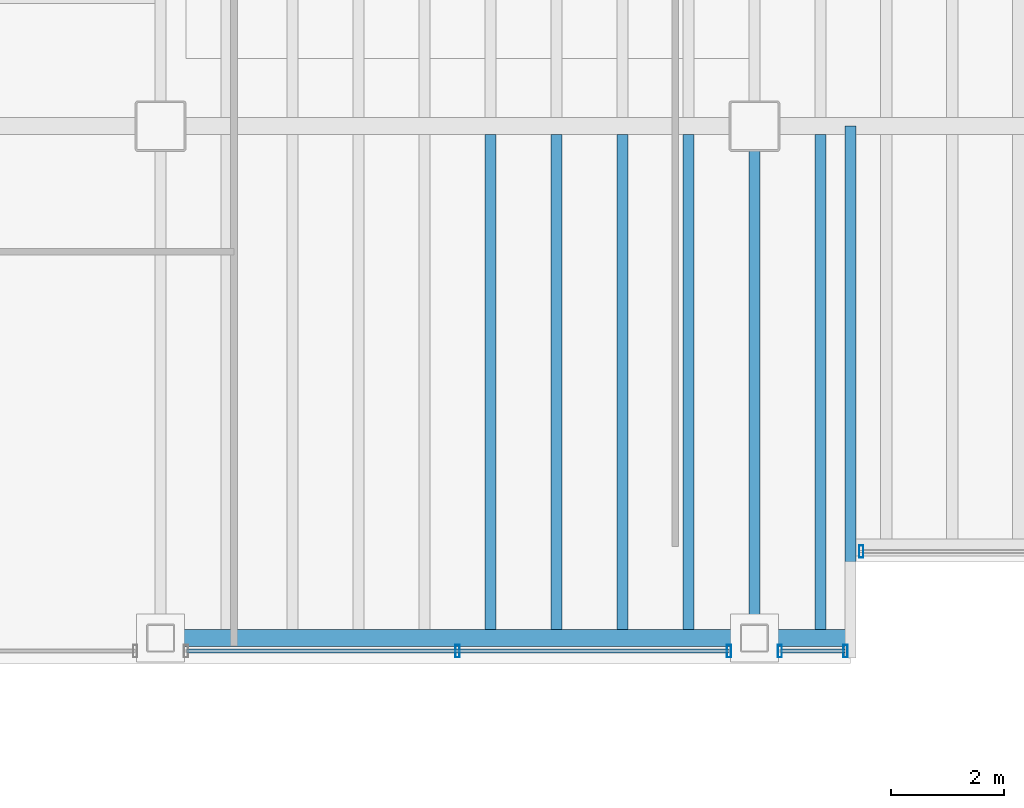
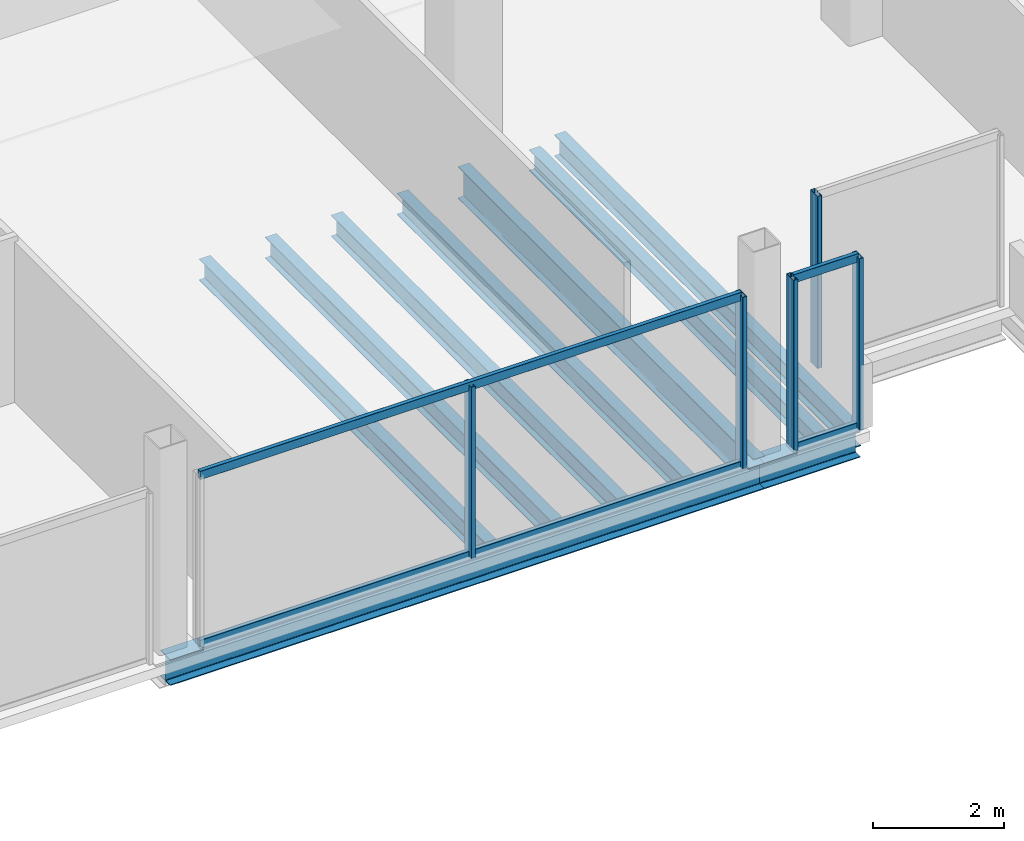
# One storey, part 4 of 20: 9 beams, 9 members, 3 elements without a shape of their own.
"""IFC4 building model written with IfcOpenShell, lengths in metres."""

from ifc_helpers import new_model, si_unit, direction, frame, origin, origin_2d, place, context, subcontext, project, spatial, hollow_rectangle, i_section, extrude, material, material_profile, profile_set, type_object, element, aggregate, save


model = new_model("IFC4")

# Units and contexts
model_context = context("Model", 3, precision=1e-05, world=origin(), true_north=direction((0.0, 1.0)))
body_context = subcontext(model_context, "Body", "Model", "MODEL_VIEW")
ifc_project = project(units=[si_unit("LENGTHUNIT", "METRE"), si_unit("AREAUNIT", "SQUARE_METRE"), si_unit("VOLUMEUNIT", "CUBIC_METRE"), si_unit("PLANEANGLEUNIT", "RADIAN"), si_unit("MASSUNIT", "GRAM", prefix="KILO")], contexts=[model_context])

# Site, building, storey
site_placement = place(None, origin())
site = spatial("IfcSite", under=ifc_project, at=site_placement, CompositionType="ELEMENT")
building_placement = place(site_placement, origin())
building = spatial("IfcBuilding", under=site, at=building_placement, Name="Noeulbin Bourse Tower", CompositionType="ELEMENT")
storey_placement = place(building_placement, frame((0.0, 0.0, 122.699951171875)))
storey = spatial("IfcBuildingStorey", under=building, at=storey_placement, Name="L30", CompositionType="ELEMENT", Elevation=122.699951171875)

# Beams
ifc_material_1 = material(Name="Steel S355", Category="steel")
ifc_material_profile_1 = material_profile(ifc_material_1, i_section(OverallWidth=0.199951171875, OverallDepth=0.60009765625, WebThickness=0.010986328125, FlangeThickness=0.01708984375, FilletRadius=0.02197265625, at=origin_2d()), Name="H-600x200x11x17", Category="LoadBearing")
ifc_profile_set_1 = profile_set([ifc_material_profile_1], Name="Steel S355")
beam_type_1 = type_object("IfcBeamType", Name="BM-GRD-600", PredefinedType="USERDEFINED", material=ifc_profile_set_1)
beam_1_placement = place(storey_placement, frame((24.0, 10.949951171875, -0.47998046875), z_axis=(0.0, 1.0, 0.0), x_axis=(-1.0, 0.0, 0.0)))
element("IfcBeam", 1, at=beam_1_placement, inside=storey, type_object=beam_type_1, Name="Tower Primary Girder NS L30-2.1", ObjectType="GIRDER", PredefinedType="USERDEFINED", context=body_context, shape_type="SweptSolid", body=[
    extrude(i_section(OverallWidth=0.199951171875, OverallDepth=0.60009765625, WebThickness=0.010986328125, FlangeThickness=0.01708984375, FilletRadius=0.02197265625, at=origin_2d()), origin(), (0.0, 0.0, 1.0), 9.050048828125),
])
ifc_material_profile_2 = material_profile(ifc_material_1, i_section(OverallWidth=0.199951171875, OverallDepth=0.39990234375, WebThickness=0.008056640625, FlangeThickness=0.012939453125, FilletRadius=0.01611328125, at=origin_2d()), Name="H-400x200x8x13", Category="LoadBearing")
ifc_profile_set_2 = profile_set([ifc_material_profile_2], Name="Steel S355")
beam_type_2 = type_object("IfcBeamType", Name="BM-SEC-400", PredefinedType="BEAM", material=ifc_profile_set_2)
beam_2_placement = place(storey_placement, frame((25.699951171875, 10.949951171875, -0.3798828125), z_axis=(0.0, 1.0, 0.0), x_axis=(-1.0, 0.0, 0.0)))
element("IfcBeam", 2, at=beam_2_placement, inside=storey, type_object=beam_type_2, Name="BM-L30-SRT-W", PredefinedType="BEAM", context=body_context, shape_type="SweptSolid", body=[
    extrude(i_section(OverallWidth=0.199951171875, OverallDepth=0.39990234375, WebThickness=0.008056640625, FlangeThickness=0.012939453125, FilletRadius=0.01611328125, at=origin_2d()), origin(), (0.0, 0.0, 1.0), 9.050048828125),
])
for number, where, z_axis, x_axis, name in (
    (3, (19.333251953125, 11.10009765625, -0.3798828125), (0.0, 1.0, 0.0), (-1.0, 0.0, 0.0), "Tower Composite Joist L30-09"),
    (4, (20.5, 11.10009765625, -0.3798828125), (0.0, 1.0, 0.0), (-1.0, 0.0, 0.0), "Tower Composite Joist L30-11"),
    (5, (21.666748046875, 11.10009765625, -0.3798828125), (0.0, 1.0, 0.0), (-1.0, 0.0, 0.0), "Tower Composite Joist L30-13"),
    (6, (22.833251953125, 11.10009765625, -0.3798828125), (0.0, 1.0, 0.0), (-1.0, 0.0, 0.0), "Tower Composite Joist L30-15"),
    (7, (25.166748046875, 11.10009765625, -0.3798828125), (0.0, 1.0, 0.0), (-1.0, 0.0, 0.0), "Tower Composite Joist L30-17"),
):
    element("IfcBeam", number, at=place(storey_placement, frame(where, z_axis=z_axis, x_axis=x_axis)), inside=storey, type_object=beam_type_2, Name=name, PredefinedType="BEAM", context=body_context, shape_type="SweptSolid", body=[
        extrude(i_section(OverallWidth=0.199951171875, OverallDepth=0.39990234375, WebThickness=0.008056640625, FlangeThickness=0.012939453125, FilletRadius=0.01611328125, at=origin_2d()), origin(), (0.0, 0.0, 1.0), 8.75),
    ])
ifc_material_profile_3 = material_profile(ifc_material_1, i_section(OverallWidth=0.300048828125, OverallDepth=0.488037109375, WebThickness=0.010986328125, FlangeThickness=0.01806640625, FilletRadius=0.02197265625, at=origin_2d()), Name="H-488x300x11x18", Category="LoadBearing")
ifc_profile_set_3 = profile_set([ifc_material_profile_3], Name="Steel S355")
beam_type_3 = type_object("IfcBeamType", Name="BM-SPN-488", PredefinedType="SPANDREL", material=ifc_profile_set_3)
beam_3_placement = place(storey_placement, frame((13.5, 10.949951171875, -0.424072265625), z_axis=(1.0, 0.0, 0.0), x_axis=(0.0, 1.0, 0.0)))
element("IfcBeam", 8, at=beam_3_placement, inside=storey, type_object=beam_type_3, Name="South Spandrel L30-1", PredefinedType="SPANDREL", context=body_context, shape_type="SweptSolid", body=[
    extrude(i_section(OverallWidth=0.300048828125, OverallDepth=0.488037109375, WebThickness=0.010986328125, FlangeThickness=0.01806640625, FilletRadius=0.02197265625, at=origin_2d()), origin(), (0.0, 0.0, 1.0), 10.5),
])
beam_4_placement = place(storey_placement, frame((24.0, 10.949951171875, -0.424072265625), z_axis=(1.0, 0.0, 0.0), x_axis=(0.0, 1.0, 0.0)))
element("IfcBeam", 9, at=beam_4_placement, inside=storey, type_object=beam_type_3, Name="South Spandrel L30-2A", PredefinedType="SPANDREL", context=body_context, shape_type="SweptSolid", body=[
    extrude(i_section(OverallWidth=0.300048828125, OverallDepth=0.488037109375, WebThickness=0.010986328125, FlangeThickness=0.01806640625, FilletRadius=0.02197265625, at=origin_2d()), origin(), (0.0, 0.0, 1.0), 1.699951171875),
])

# Curtain wall, member
ifc_material_2 = material(Name="Dark Tinted Triple Glazing", Category="glass")
curtain_wall_type = type_object("IfcCurtainWallType", Name="CW-SYS-3", PredefinedType="NOTDEFINED", material=ifc_material_2)
curtain_wall_1_placement = place(storey_placement, origin())
curtain_wall_1 = element("IfcCurtainWall", 10, at=curtain_wall_1_placement, inside=storey, type_object=curtain_wall_type, Name="Unitised Curtain Wall CW-L30-SREC", PredefinedType="NOTDEFINED")
ifc_material_3 = material(Name="Anodised Aluminium 6063-T6", Category="aluminium")
ifc_material_profile_4 = material_profile(ifc_material_3, hollow_rectangle(XDim=0.074951171875, YDim=0.219970703125, WallThickness=0.0048828125, InnerFilletRadius=0.00244140625, OuterFilletRadius=0.0048828125, at=origin_2d()), Name="ALU-MULL-75x220x5", Category="LoadBearing")
ifc_profile_set_4 = profile_set([ifc_material_profile_4], Name="Anodised Aluminium 6063-T6")
member_type_1 = type_object("IfcMemberType", Name="CW-SYS-3-MUL", PredefinedType="MULLION", material=ifc_profile_set_4)
member_1_placement = place(storey_placement, frame((25.889892578125, 12.47998046875, -0.02001953125), z_axis=(0.0, 0.0, 1.0), x_axis=(1.0, 0.0, 0.0)))
member_1 = element("IfcMember", 11, at=member_1_placement, type_object=member_type_1, Name="Curtain Wall Mullion CW-L30-SREC-M00", PredefinedType="MULLION", context=body_context, shape_type="SweptSolid", body=[
    extrude(hollow_rectangle(XDim=0.074951171875, YDim=0.219970703125, WallThickness=0.0048828125, InnerFilletRadius=0.00244140625, OuterFilletRadius=0.0048828125, at=origin_2d()), origin(), (0.0, 0.0, 1.0), 3.219970703125),
])
aggregate(curtain_wall_1, [member_1])

# Curtain wall, members
curtain_wall_2_placement = place(storey_placement, origin())
curtain_wall_2 = element("IfcCurtainWall", 12, at=curtain_wall_2_placement, inside=storey, type_object=curtain_wall_type, Name="Unitised Curtain Wall CW-L30-S1-S2", PredefinedType="NOTDEFINED")
member_2_placement = place(storey_placement, frame((18.75, 10.719970703125, -0.02001953125), z_axis=(0.0, 0.0, 1.0), x_axis=(1.0, 0.0, 0.0)))
member_2 = element("IfcMember", 13, at=member_2_placement, type_object=member_type_1, Name="Curtain Wall Mullion CW-L30-S1-S2-M01", PredefinedType="MULLION", context=body_context, shape_type="SweptSolid", body=[
    extrude(hollow_rectangle(XDim=0.074951171875, YDim=0.219970703125, WallThickness=0.0048828125, InnerFilletRadius=0.00244140625, OuterFilletRadius=0.0048828125, at=origin_2d()), origin(), (0.0, 0.0, 1.0), 3.219970703125),
])
member_3_placement = place(storey_placement, frame((23.550048828125, 10.719970703125, -0.02001953125), z_axis=(0.0, 0.0, 1.0), x_axis=(1.0, 0.0, 0.0)))
member_3 = element("IfcMember", 14, at=member_3_placement, type_object=member_type_1, Name="Curtain Wall Mullion CW-L30-S1-S2-M02", PredefinedType="MULLION", context=body_context, shape_type="SweptSolid", body=[
    extrude(hollow_rectangle(XDim=0.074951171875, YDim=0.219970703125, WallThickness=0.0048828125, InnerFilletRadius=0.00244140625, OuterFilletRadius=0.0048828125, at=origin_2d()), origin(), (0.0, 0.0, 1.0), 3.219970703125),
])

curtain_wall_3_placement = place(storey_placement, origin())
curtain_wall_3 = element("IfcCurtainWall", 15, at=curtain_wall_3_placement, inside=storey, type_object=curtain_wall_type, Name="Unitised Curtain Wall CW-L30-S1-S3", PredefinedType="NOTDEFINED")
member_4_placement = place(storey_placement, frame((24.449951171875, 10.719970703125, -0.02001953125), z_axis=(0.0, 0.0, 1.0), x_axis=(1.0, 0.0, 0.0)))
member_4 = element("IfcMember", 16, at=member_4_placement, type_object=member_type_1, Name="Curtain Wall Mullion CW-L30-S1-S3-M00", PredefinedType="MULLION", context=body_context, shape_type="SweptSolid", body=[
    extrude(hollow_rectangle(XDim=0.074951171875, YDim=0.219970703125, WallThickness=0.0048828125, InnerFilletRadius=0.00244140625, OuterFilletRadius=0.0048828125, at=origin_2d()), origin(), (0.0, 0.0, 1.0), 3.219970703125),
])
member_5_placement = place(storey_placement, frame((25.610107421875, 10.719970703125, -0.02001953125), z_axis=(0.0, 0.0, 1.0), x_axis=(1.0, 0.0, 0.0)))
member_5 = element("IfcMember", 17, at=member_5_placement, type_object=member_type_1, Name="Curtain Wall Mullion CW-L30-S1-S3-M01", PredefinedType="MULLION", context=body_context, shape_type="SweptSolid", body=[
    extrude(hollow_rectangle(XDim=0.074951171875, YDim=0.219970703125, WallThickness=0.0048828125, InnerFilletRadius=0.00244140625, OuterFilletRadius=0.0048828125, at=origin_2d()), origin(), (0.0, 0.0, 1.0), 3.219970703125),
])

# Member
ifc_material_profile_5 = material_profile(ifc_material_3, hollow_rectangle(XDim=0.074951171875, YDim=0.159912109375, WallThickness=0.0048828125, InnerFilletRadius=0.00244140625, OuterFilletRadius=0.0048828125, at=origin_2d()), Name="ALU-TRAN-75x160x5", Category="LoadBearing")
ifc_profile_set_5 = profile_set([ifc_material_profile_5], Name="Anodised Aluminium 6063-T6")
member_type_2 = type_object("IfcMemberType", Name="CW-SYS-3-TRN", PredefinedType="USERDEFINED", material=ifc_profile_set_5)
member_6_placement = place(storey_placement, frame((13.9599609375, 10.719970703125, 0.010009765625), z_axis=(1.0, 0.0, 0.0), x_axis=(0.0, 1.0, 0.0)))
member_6 = element("IfcMember", 18, at=member_6_placement, type_object=member_type_2, Name="Curtain Wall Transom CW-L30-S1-S2-T00", ObjectType="TRANSOM", PredefinedType="USERDEFINED", context=body_context, shape_type="SweptSolid", body=[
    extrude(hollow_rectangle(XDim=0.074951171875, YDim=0.159912109375, WallThickness=0.0048828125, InnerFilletRadius=0.00244140625, OuterFilletRadius=0.0048828125, at=origin_2d()), origin(), (0.0, 0.0, 1.0), 9.580078125),
])

member_7_placement = place(storey_placement, frame((13.9599609375, 10.719970703125, 3.170166015625), z_axis=(1.0, 0.0, 0.0), x_axis=(0.0, 1.0, 0.0)))
member_7 = element("IfcMember", 19, at=member_7_placement, type_object=member_type_2, Name="Curtain Wall Transom CW-L30-S1-S2-T01", ObjectType="TRANSOM", PredefinedType="USERDEFINED", context=body_context, shape_type="SweptSolid", body=[
    extrude(hollow_rectangle(XDim=0.074951171875, YDim=0.159912109375, WallThickness=0.0048828125, InnerFilletRadius=0.00244140625, OuterFilletRadius=0.0048828125, at=origin_2d()), origin(), (0.0, 0.0, 1.0), 9.580078125),
])

aggregate(curtain_wall_2, [member_2, member_3, member_6, member_7])

member_8_placement = place(storey_placement, frame((24.4599609375, 10.719970703125, 0.010009765625), z_axis=(1.0, 0.0, 0.0), x_axis=(0.0, 1.0, 0.0)))
member_8 = element("IfcMember", 20, at=member_8_placement, type_object=member_type_2, Name="Curtain Wall Transom CW-L30-S1-S3-T00", ObjectType="TRANSOM", PredefinedType="USERDEFINED", context=body_context, shape_type="SweptSolid", body=[
    extrude(hollow_rectangle(XDim=0.074951171875, YDim=0.159912109375, WallThickness=0.0048828125, InnerFilletRadius=0.00244140625, OuterFilletRadius=0.0048828125, at=origin_2d()), origin(), (0.0, 0.0, 1.0), 1.14013671875),
])

member_9_placement = place(storey_placement, frame((24.4599609375, 10.719970703125, 3.170166015625), z_axis=(1.0, 0.0, 0.0), x_axis=(0.0, 1.0, 0.0)))
member_9 = element("IfcMember", 21, at=member_9_placement, type_object=member_type_2, Name="Curtain Wall Transom CW-L30-S1-S3-T01", ObjectType="TRANSOM", PredefinedType="USERDEFINED", context=body_context, shape_type="SweptSolid", body=[
    extrude(hollow_rectangle(XDim=0.074951171875, YDim=0.159912109375, WallThickness=0.0048828125, InnerFilletRadius=0.00244140625, OuterFilletRadius=0.0048828125, at=origin_2d()), origin(), (0.0, 0.0, 1.0), 1.14013671875),
])

aggregate(curtain_wall_3, [member_4, member_5, member_8, member_9])

save(model, "model.ifc")
